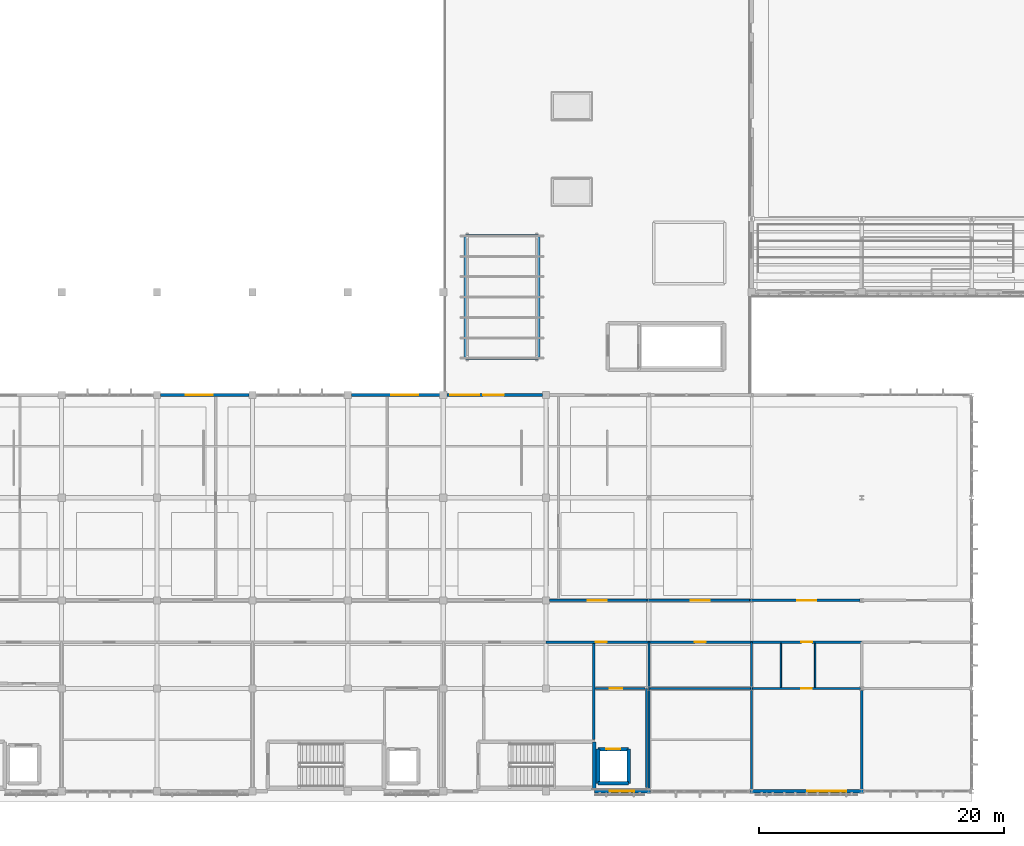
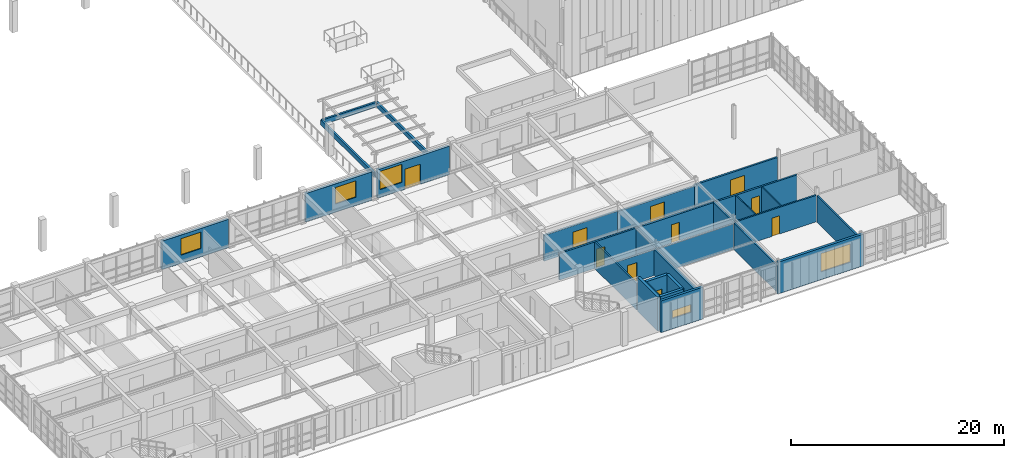
# One storey, part 44 of 67: 32 walls, 10 doors, 5 windows, 15 openings.
"""IFC4 building model written with IfcOpenShell, lengths in metres."""

from ifc_helpers import new_model, si_unit, direction, frame, frame_2d, origin, place, context, subcontext, project, spatial, rectangle, extrude, material, layer, layer_set, type_object, element, fill, save


model = new_model("IFC4")

# Units and contexts
model_context = context("Model", 3, precision=1e-05, world=origin(), true_north=direction((0.0, 1.0)))
body_context = subcontext(model_context, "Body", "Model", "MODEL_VIEW")
ifc_project = project(units=[si_unit("LENGTHUNIT", "METRE"), si_unit("AREAUNIT", "SQUARE_METRE"), si_unit("VOLUMEUNIT", "CUBIC_METRE"), si_unit("PLANEANGLEUNIT", "RADIAN"), si_unit("MASSUNIT", "GRAM", prefix="KILO")], contexts=[model_context])

# Site, building, storey
site_placement = place(None, origin())
site = spatial("IfcSite", under=ifc_project, at=site_placement, CompositionType="ELEMENT")
building_placement = place(site_placement, origin())
building = spatial("IfcBuilding", under=site, at=building_placement, Name="Tizgana Railside Sports Hall", CompositionType="ELEMENT")
storey_placement = place(building_placement, frame((0.0, 0.0, 12.0)))
storey = spatial("IfcBuildingStorey", under=building, at=storey_placement, Name="L02", CompositionType="ELEMENT", Elevation=12.0)

# Walls
ifc_material_1 = material(Name="Concrete C40/50", Category="concrete")
ifc_layer_1 = layer(ifc_material_1, 0.300048828125, Name="Concrete C40/50")
ifc_layer_set_1 = layer_set([ifc_layer_1], Name="Concrete C40/50")
wall_type_1 = type_object("IfcWallType", Name="Core Shear Wall 300", PredefinedType="SHEAR", material=ifc_layer_set_1)
wall_1_placement = place(storey_placement, frame((66.949951171875, 0.25, 0.0), z_axis=(0.0, 0.0, 1.0), x_axis=(0.0, 1.0, 0.0)))
element("IfcWall", 1, at=wall_1_placement, inside=storey, type_object=wall_type_1, Name="L02 C3 Shaft Wall E", PredefinedType="SHEAR", context=body_context, shape_type="SweptSolid", body=[
    extrude(rectangle(XDim=3.800048828125, YDim=0.300048828125, at=frame_2d((1.89990234375, 0.0))), origin(), (0.0, 0.0, 1.0), 3.89990234375),
])
wall_2_placement = place(storey_placement, frame((67.25, 0.64990234375, 0.0), z_axis=(0.0, 0.0, 1.0), x_axis=(1.0, 0.0, 0.0)))
element("IfcWall", 2, at=wall_2_placement, inside=storey, type_object=wall_type_1, Name="L02 LP-02 Shaft Wall S", PredefinedType="SHEAR", context=body_context, shape_type="SweptSolid", body=[
    extrude(rectangle(XDim=2.5, YDim=0.300048828125, at=frame_2d((1.25, 0.0))), origin(), (0.0, 0.0, 1.0), 3.639892578125),
])

# Wall, opening, door
wall_3_placement = place(storey_placement, frame((67.25, 3.449951171875, 0.0), z_axis=(0.0, 0.0, 1.0), x_axis=(1.0, 0.0, 0.0)))
wall_3 = element("IfcWall", 3, at=wall_3_placement, inside=storey, type_object=wall_type_1, Name="L02 LP-02 Shaft Wall N", PredefinedType="SHEAR", context=body_context, shape_type="SweptSolid", body=[
    extrude(rectangle(XDim=2.5, YDim=0.300048828125, at=frame_2d((1.25, 0.0))), origin(), (0.0, 0.0, 1.0), 3.639892578125),
])
opening_1_placement = place(wall_3_placement, frame((0.675048828125, 0.0, 0.0)))
opening_1 = element("IfcOpeningElement", 4, at=opening_1_placement, cuts=wall_3, Name="Opening D-0069", PredefinedType="OPENING", context=body_context, shape_type="SweptSolid", body=[
    extrude(rectangle(XDim=1.14990234375, YDim=2.199951171875, at=frame_2d((0.574951171875, 1.10009765625))), frame((0.0, 0.159912109375, 0.0), z_axis=(0.0, -1.0, 0.0), x_axis=(1.0, 0.0, 0.0)), (0.0, 0.0, 1.0), 0.320068359375),
])
ifc_material_2 = material(Name="Brushed stainless steel", Category="steel")
door_type_1 = type_object("IfcDoorType", Name="Passenger Lift Sliding Door 1150x2200", OperationType="NOTDEFINED", PredefinedType="DOOR", material=ifc_material_2)
door_1_placement = place(opening_1_placement, origin())
door_1 = element("IfcDoor", 5, at=door_1_placement, inside=storey, type_object=door_type_1, Name="L02 Door D-0069", OperationType="DOUBLE_DOOR_SLIDING", OverallHeight=2.199951171875, OverallWidth=1.14990234375, PredefinedType="DOOR", context=body_context, shape_type="SweptSolid", body=[
    extrude(rectangle(XDim=1.14990234375, YDim=2.199951171875, at=frame_2d((0.574951171875, 1.10009765625))), frame((0.0, 0.02490234375, 0.0), z_axis=(0.0, -1.0, 0.0), x_axis=(1.0, 0.0, 0.0)), (0.0, 0.0, 1.0), 0.050048828125),
])
fill(opening_1, door_1)

# Walls
for number, where, z_axis, x_axis, name in (
    (6, (67.25, 0.64990234375, 0.0), (0.0, 0.0, 1.0), (0.0, 1.0, 0.0), "L02 LP-02 Shaft Wall W"),
    (7, (69.75, 0.64990234375, 0.0), (0.0, 0.0, 1.0), (0.0, 1.0, 0.0), "L02 LP-02 Shaft Wall E"),
):
    element("IfcWall", number, at=place(storey_placement, frame(where, z_axis=z_axis, x_axis=x_axis)), inside=storey, type_object=wall_type_1, Name=name, PredefinedType="SHEAR", context=body_context, shape_type="SweptSolid", body=[
        extrude(rectangle(XDim=2.800048828125, YDim=0.300048828125, at=frame_2d((1.39990234375, 0.0))), origin(), (0.0, 0.0, 1.0), 3.639892578125),
    ])

# Wall, opening, door
ifc_material_3 = material(Name="Masonry blockwork", Category="masonry")
ifc_layer_2 = layer(ifc_material_3, 0.199951171875, Name="Masonry blockwork")
ifc_layer_set_2 = layer_set([ifc_layer_2], Name="Masonry blockwork")
wall_type_2 = type_object("IfcWallType", Name="Corridor Compartment Partition 200", PredefinedType="STANDARD", material=ifc_layer_set_2)
wall_4_placement = place(storey_placement, frame((63.300048828125, 15.60009765625, 0.0), z_axis=(0.0, 0.0, 1.0), x_axis=(1.0, 0.0, 0.0)))
wall_4 = element("IfcWall", 8, at=wall_4_placement, inside=storey, type_object=wall_type_2, Name="L02 Partition PWAL-0119", PredefinedType="STANDARD", context=body_context, shape_type="SweptSolid", body=[
    extrude(rectangle(XDim=7.93994140625, YDim=0.199951171875, at=frame_2d((3.969970703125, 0.0))), origin(), (0.0, 0.0, 1.0), 2.970947265625),
])
opening_2_placement = place(wall_4_placement, frame((3.125, 0.0, 0.0)))
opening_2 = element("IfcOpeningElement", 9, at=opening_2_placement, cuts=wall_4, Name="Opening D-0175", PredefinedType="OPENING", context=body_context, shape_type="SweptSolid", body=[
    extrude(rectangle(XDim=1.550048828125, YDim=2.25, at=frame_2d((0.77490234375, 1.125))), frame((0.0, 0.10986328125, 0.0), z_axis=(0.0, -1.0, 0.0), x_axis=(1.0, 0.0, 0.0)), (0.0, 0.0, 1.0), 0.219970703125),
])
ifc_material_4 = material(Name="Acoustic perforated timber", Category="wood")
door_type_2 = type_object("IfcDoorType", Name="Studio Acoustic Double Door 1550x2250", OperationType="NOTDEFINED", PredefinedType="DOOR", material=ifc_material_4)
door_2_placement = place(opening_2_placement, origin())
door_2 = element("IfcDoor", 10, at=door_2_placement, inside=storey, type_object=door_type_2, Name="L02 Door D-0175", OperationType="DOUBLE_DOOR_SINGLE_SWING", OverallHeight=2.25, OverallWidth=1.550048828125, PredefinedType="DOOR", context=body_context, shape_type="SweptSolid", body=[
    extrude(rectangle(XDim=1.550048828125, YDim=2.25, at=frame_2d((0.77490234375, 1.125))), frame((0.0, 0.02490234375, 0.0), z_axis=(0.0, -1.0, 0.0), x_axis=(1.0, 0.0, 0.0)), (0.0, 0.0, 1.0), 0.050048828125),
])
fill(opening_2, door_2)

wall_5_placement = place(storey_placement, frame((63.0, 12.199951171875, 0.0), z_axis=(0.0, 0.0, 1.0), x_axis=(1.0, 0.0, 0.0)))
wall_5 = element("IfcWall", 11, at=wall_5_placement, inside=storey, type_object=wall_type_2, Name="L02 Partition PWAL-0120", PredefinedType="STANDARD", context=body_context, shape_type="SweptSolid", body=[
    extrude(rectangle(XDim=8.39990234375, YDim=0.199951171875, at=frame_2d((4.199951171875, 0.0))), origin(), (0.0, 0.0, 1.0), 3.050048828125),
])
opening_3_placement = place(wall_5_placement, frame((4.06005859375, 0.0, 0.0)))
opening_3 = element("IfcOpeningElement", 12, at=opening_3_placement, cuts=wall_5, Name="Opening D-0176", PredefinedType="OPENING", context=body_context, shape_type="SweptSolid", body=[
    extrude(rectangle(XDim=0.8798828125, YDim=2.10009765625, at=frame_2d((0.43994140625, 1.050048828125))), frame((0.0, 0.10986328125, 0.0), z_axis=(0.0, -1.0, 0.0), x_axis=(1.0, 0.0, 0.0)), (0.0, 0.0, 1.0), 0.219970703125),
])
ifc_material_5 = material(Name="Solid beech timber", Category="wood")
door_type_3 = type_object("IfcDoorType", Name="Public & Staff WC Door 880x2100", OperationType="NOTDEFINED", PredefinedType="DOOR", material=ifc_material_5)
door_3_placement = place(opening_3_placement, origin())
door_3 = element("IfcDoor", 13, at=door_3_placement, inside=storey, type_object=door_type_3, Name="L02 Door D-0176", OperationType="SINGLE_SWING_RIGHT", OverallHeight=2.10009765625, OverallWidth=0.8798828125, PredefinedType="DOOR", context=body_context, shape_type="SweptSolid", body=[
    extrude(rectangle(XDim=0.8798828125, YDim=2.10009765625, at=frame_2d((0.43994140625, 1.050048828125))), frame((0.0, 0.02490234375, 0.0), z_axis=(0.0, -1.0, 0.0), x_axis=(1.0, 0.0, 0.0)), (0.0, 0.0, 1.0), 0.050048828125),
])
fill(opening_3, door_3)

wall_6_placement = place(storey_placement, frame((71.2451171875, 15.60009765625, 0.0), z_axis=(0.0, 0.0, 1.0), x_axis=(1.0, 0.0, 0.0)))
wall_6 = element("IfcWall", 14, at=wall_6_placement, inside=storey, type_object=wall_type_2, Name="L02 Partition PWAL-0121", PredefinedType="STANDARD", context=body_context, shape_type="SweptSolid", body=[
    extrude(rectangle(XDim=8.394775390625, YDim=0.199951171875, at=frame_2d((4.197265625, 0.0))), origin(), (0.0, 0.0, 1.0), 2.90087890625),
])
opening_4_placement = place(wall_6_placement, frame((3.580078125, 0.0, 0.0)))
opening_4 = element("IfcOpeningElement", 15, at=opening_4_placement, cuts=wall_6, Name="Opening D-0177", PredefinedType="OPENING", context=body_context, shape_type="SweptSolid", body=[
    extrude(rectangle(XDim=1.550048828125, YDim=2.25, at=frame_2d((0.77490234375, 1.125))), frame((0.0, 0.10986328125, 0.0), z_axis=(0.0, -1.0, 0.0), x_axis=(1.0, 0.0, 0.0)), (0.0, 0.0, 1.0), 0.219970703125),
])
door_4_placement = place(opening_4_placement, origin())
door_4 = element("IfcDoor", 16, at=door_4_placement, inside=storey, type_object=door_type_2, Name="L02 Door D-0177", OperationType="DOUBLE_DOOR_SINGLE_SWING", OverallHeight=2.25, OverallWidth=1.550048828125, PredefinedType="DOOR", context=body_context, shape_type="SweptSolid", body=[
    extrude(rectangle(XDim=1.550048828125, YDim=2.25, at=frame_2d((0.77490234375, 1.125))), frame((0.0, 0.02490234375, 0.0), z_axis=(0.0, -1.0, 0.0), x_axis=(1.0, 0.0, 0.0)), (0.0, 0.0, 1.0), 0.050048828125),
])
fill(opening_4, door_4)

wall_7_placement = place(storey_placement, frame((71.39990234375, 12.199951171875, 0.0), z_axis=(0.0, 0.0, 1.0), x_axis=(1.0, 0.0, 0.0)))
wall_7 = element("IfcWall", 17, at=wall_7_placement, inside=storey, type_object=wall_type_2, Name="L02 Partition PWAL-0122", PredefinedType="STANDARD", context=body_context, shape_type="SweptSolid", body=[
    extrude(rectangle(XDim=8.400146484375, YDim=0.199951171875, at=frame_2d((4.2001953125, 0.0))), origin(), (0.0, 0.0, 1.0), 3.050048828125),
])
opening_5_placement = place(wall_7_placement, frame((3.760009765625, 0.0, 0.0)))
opening_5 = element("IfcOpeningElement", 18, at=opening_5_placement, cuts=wall_7, Name="Opening D-0178", PredefinedType="OPENING", context=body_context, shape_type="SweptSolid", body=[
    extrude(rectangle(XDim=0.8798828125, YDim=2.10009765625, at=frame_2d((0.43994140625, 1.050048828125))), frame((0.0, 0.10986328125, 0.0), z_axis=(0.0, -1.0, 0.0), x_axis=(1.0, 0.0, 0.0)), (0.0, 0.0, 1.0), 0.219970703125),
])
door_5_placement = place(opening_5_placement, origin())
door_5 = element("IfcDoor", 19, at=door_5_placement, inside=storey, type_object=door_type_3, Name="L02 Door D-0178", OperationType="SINGLE_SWING_LEFT", OverallHeight=2.10009765625, OverallWidth=0.8798828125, PredefinedType="DOOR", context=body_context, shape_type="SweptSolid", body=[
    extrude(rectangle(XDim=0.8798828125, YDim=2.10009765625, at=frame_2d((0.43994140625, 1.050048828125))), frame((0.0, 0.02490234375, 0.0), z_axis=(0.0, -1.0, 0.0), x_axis=(1.0, 0.0, 0.0)), (0.0, 0.0, 1.0), 0.050048828125),
])
fill(opening_5, door_5)

wall_8_placement = place(storey_placement, frame((79.64501953125, 15.60009765625, 0.0), z_axis=(0.0, 0.0, 1.0), x_axis=(1.0, 0.0, 0.0)))
wall_8 = element("IfcWall", 20, at=wall_8_placement, inside=storey, type_object=wall_type_2, Name="L02 Partition PWAL-0123", PredefinedType="STANDARD", context=body_context, shape_type="SweptSolid", body=[
    extrude(rectangle(XDim=8.994873046875, YDim=0.199951171875, at=frame_2d((4.49755859375, 0.0))), origin(), (0.0, 0.0, 1.0), 3.050048828125),
])
opening_6_placement = place(wall_8_placement, frame((3.8798828125, 0.0, 0.0)))
opening_6 = element("IfcOpeningElement", 21, at=opening_6_placement, cuts=wall_8, Name="Opening D-0179", PredefinedType="OPENING", context=body_context, shape_type="SweptSolid", body=[
    extrude(rectangle(XDim=1.550048828125, YDim=2.25, at=frame_2d((0.77490234375, 1.125))), frame((0.0, 0.10986328125, 0.0), z_axis=(0.0, -1.0, 0.0), x_axis=(1.0, 0.0, 0.0)), (0.0, 0.0, 1.0), 0.219970703125),
])
door_6_placement = place(opening_6_placement, origin())
door_6 = element("IfcDoor", 22, at=door_6_placement, inside=storey, type_object=door_type_2, Name="L02 Door D-0179", OperationType="DOUBLE_DOOR_SINGLE_SWING", OverallHeight=2.25, OverallWidth=1.550048828125, PredefinedType="DOOR", context=body_context, shape_type="SweptSolid", body=[
    extrude(rectangle(XDim=1.550048828125, YDim=2.25, at=frame_2d((0.77490234375, 1.125))), frame((0.0, 0.02490234375, 0.0), z_axis=(0.0, -1.0, 0.0), x_axis=(1.0, 0.0, 0.0)), (0.0, 0.0, 1.0), 0.050048828125),
])
fill(opening_6, door_6)

wall_9_placement = place(storey_placement, frame((79.800048828125, 12.199951171875, 0.0), z_axis=(0.0, 0.0, 1.0), x_axis=(1.0, 0.0, 0.0)))
wall_9 = element("IfcWall", 23, at=wall_9_placement, inside=storey, type_object=wall_type_2, Name="L02 Partition PWAL-0124", PredefinedType="STANDARD", context=body_context, shape_type="SweptSolid", body=[
    extrude(rectangle(XDim=9.0, YDim=0.199951171875, at=frame_2d((4.5, 0.0))), origin(), (0.0, 0.0, 1.0), 3.050048828125),
])
opening_7_placement = place(wall_9_placement, frame((4.06005859375, 0.0, 0.0)))
opening_7 = element("IfcOpeningElement", 24, at=opening_7_placement, cuts=wall_9, Name="Opening D-0180", PredefinedType="OPENING", context=body_context, shape_type="SweptSolid", body=[
    extrude(rectangle(XDim=0.8798828125, YDim=2.10009765625, at=frame_2d((0.43994140625, 1.050048828125))), frame((0.0, 0.10986328125, 0.0), z_axis=(0.0, -1.0, 0.0), x_axis=(1.0, 0.0, 0.0)), (0.0, 0.0, 1.0), 0.219970703125),
])
door_7_placement = place(opening_7_placement, origin())
door_7 = element("IfcDoor", 25, at=door_7_placement, inside=storey, type_object=door_type_3, Name="L02 Door D-0180", OperationType="SINGLE_SWING_RIGHT", OverallHeight=2.10009765625, OverallWidth=0.8798828125, PredefinedType="DOOR", context=body_context, shape_type="SweptSolid", body=[
    extrude(rectangle(XDim=0.8798828125, YDim=2.10009765625, at=frame_2d((0.43994140625, 1.050048828125))), frame((0.0, 0.02490234375, 0.0), z_axis=(0.0, -1.0, 0.0), x_axis=(1.0, 0.0, 0.0)), (0.0, 0.0, 1.0), 0.050048828125),
])
fill(opening_7, door_7)

# Wall, opening, window
ifc_material_6 = material(Name="Precast concrete C40/50", Category="concrete")
ifc_layer_3 = layer(ifc_material_6, 0.27001953125, Name="Precast concrete C40/50")
ifc_layer_set_3 = layer_set([ifc_layer_3], Name="Precast concrete C40/50")
wall_type_3 = type_object("IfcWallType", Name="Exterior Studio Facade Wall 270", PredefinedType="STANDARD", material=ifc_layer_set_3)
wall_10_placement = place(storey_placement, frame((71.547607421875, 0.0, 0.0), z_axis=(0.0, 0.0, 1.0), x_axis=(-1.0, 0.0, 0.0)))
wall_10 = element("IfcWall", 26, at=wall_10_placement, inside=storey, type_object=wall_type_3, Name="L02 Exterior Wall EWAL-0101", PredefinedType="STANDARD", context=body_context, shape_type="SweptSolid", body=[
    extrude(rectangle(XDim=4.592529296875, YDim=0.27001953125, at=frame_2d((2.29638671875, 0.0))), origin(), (0.0, 0.0, 1.0), 3.639892578125),
])
opening_8_placement = place(wall_10_placement, frame((1.347412109375, 0.0, 1.199951171875)))
opening_8 = element("IfcOpeningElement", 27, at=opening_8_placement, cuts=wall_10, Name="Opening W-0073", PredefinedType="OPENING", context=body_context, shape_type="SweptSolid", body=[
    extrude(rectangle(XDim=2.0, YDim=0.89990234375, at=frame_2d((1.0, 0.449951171875))), frame((0.0, 0.14501953125, 0.0), z_axis=(0.0, -1.0, 0.0), x_axis=(1.0, 0.0, 0.0)), (0.0, 0.0, 1.0), 0.2900390625),
])
ifc_material_7 = material(Name="Double low-E laminated glass", Category="glass")
window_type_1 = type_object("IfcWindowType", Name="Changing High-Level Window 2000x900", PartitioningType="SINGLE_PANEL", PredefinedType="WINDOW", material=ifc_material_7)
window_1_placement = place(opening_8_placement, origin())
window_1 = element("IfcWindow", 28, at=window_1_placement, inside=storey, type_object=window_type_1, Name="L02 Window W-0073", OverallHeight=0.89990234375, OverallWidth=2.0, PartitioningType="SINGLE_PANEL", PredefinedType="WINDOW", context=body_context, shape_type="SweptSolid", body=[
    extrude(rectangle(XDim=2.0, YDim=0.89990234375, at=frame_2d((1.0, 0.449951171875))), frame((0.0, 0.030029296875, 0.0), z_axis=(0.0, -1.0, 0.0), x_axis=(1.0, 0.0, 0.0)), (0.0, 0.0, 1.0), 0.06005859375),
])
fill(opening_8, window_1)

wall_11_placement = place(storey_placement, frame((88.93994140625, 0.0, 0.0), z_axis=(0.0, 0.0, 1.0), x_axis=(-1.0, 0.0, 0.0)))
wall_11 = element("IfcWall", 29, at=wall_11_placement, inside=storey, type_object=wall_type_3, Name="L02 Exterior Wall EWAL-0102", PredefinedType="STANDARD", context=body_context, shape_type="SweptSolid", body=[
    extrude(rectangle(XDim=9.287353515625, YDim=0.27001953125, at=frame_2d((4.6435546875, 0.0))), origin(), (0.0, 0.0, 1.0), 3.639892578125),
])
opening_9_placement = place(wall_11_placement, frame((1.389892578125, 0.0, 0.89990234375)))
opening_9 = element("IfcOpeningElement", 30, at=opening_9_placement, cuts=wall_11, Name="Opening W-0074", PredefinedType="OPENING", context=body_context, shape_type="SweptSolid", body=[
    extrude(rectangle(XDim=3.199951171875, YDim=2.10009765625, at=frame_2d((1.60009765625, 1.050048828125))), frame((0.0, 0.14501953125, 0.0), z_axis=(0.0, -1.0, 0.0), x_axis=(1.0, 0.0, 0.0)), (0.0, 0.0, 1.0), 0.2900390625),
])
window_type_2 = type_object("IfcWindowType", Name="Studio Wide Window 3200x2100", PartitioningType="SINGLE_PANEL", PredefinedType="WINDOW", material=ifc_material_7)
window_2_placement = place(opening_9_placement, origin())
window_2 = element("IfcWindow", 31, at=window_2_placement, inside=storey, type_object=window_type_2, Name="L02 Window W-0074", OverallHeight=2.10009765625, OverallWidth=3.199951171875, PartitioningType="SINGLE_PANEL", PredefinedType="WINDOW", context=body_context, shape_type="SweptSolid", body=[
    extrude(rectangle(XDim=3.199951171875, YDim=2.10009765625, at=frame_2d((1.60009765625, 1.050048828125))), frame((0.0, 0.030029296875, 0.0), z_axis=(0.0, -1.0, 0.0), x_axis=(1.0, 0.0, 0.0)), (0.0, 0.0, 1.0), 0.06005859375),
])
fill(opening_9, window_2)

wall_12_placement = place(storey_placement, frame((31.489990234375, 32.39990234375, 0.0), z_axis=(0.0, 0.0, 1.0), x_axis=(1.0, 0.0, 0.0)))
wall_12 = element("IfcWall", 32, at=wall_12_placement, inside=storey, type_object=wall_type_3, Name="L02 Exterior Wall EWAL-0104", PredefinedType="STANDARD", context=body_context, shape_type="SweptSolid", body=[
    extrude(rectangle(XDim=7.219970703125, YDim=0.27001953125, at=frame_2d((3.60986328125, 0.0))), origin(), (0.0, 0.0, 1.0), 3.27099609375),
])
opening_10_placement = place(wall_12_placement, frame((2.06005859375, 0.0, 0.949951171875)))
opening_10 = element("IfcOpeningElement", 33, at=opening_10_placement, cuts=wall_12, Name="Opening W-0076", PredefinedType="OPENING", context=body_context, shape_type="SweptSolid", body=[
    extrude(rectangle(XDim=2.199951171875, YDim=1.89990234375, at=frame_2d((1.10009765625, 0.949951171875))), frame((0.0, 0.14501953125, 0.0), z_axis=(0.0, -1.0, 0.0), x_axis=(1.0, 0.0, 0.0)), (0.0, 0.0, 1.0), 0.2900390625),
])
window_type_3 = type_object("IfcWindowType", Name="Clinic Double Window 2200x1900", PartitioningType="SINGLE_PANEL", PredefinedType="WINDOW", material=ifc_material_7)
window_3_placement = place(opening_10_placement, origin())
window_3 = element("IfcWindow", 34, at=window_3_placement, inside=storey, type_object=window_type_3, Name="L02 Window W-0076", OverallHeight=1.89990234375, OverallWidth=2.199951171875, PartitioningType="SINGLE_PANEL", PredefinedType="WINDOW", context=body_context, shape_type="SweptSolid", body=[
    extrude(rectangle(XDim=2.199951171875, YDim=1.89990234375, at=frame_2d((1.10009765625, 0.949951171875))), frame((0.0, 0.030029296875, 0.0), z_axis=(0.0, -1.0, 0.0), x_axis=(1.0, 0.0, 0.0)), (0.0, 0.0, 1.0), 0.06005859375),
])
fill(opening_10, window_3)

wall_13_placement = place(storey_placement, frame((47.090087890625, 32.39990234375, 0.0), z_axis=(0.0, 0.0, 1.0), x_axis=(1.0, 0.0, 0.0)))
wall_13 = element("IfcWall", 35, at=wall_13_placement, inside=storey, type_object=wall_type_3, Name="L02 Exterior Wall EWAL-0105", PredefinedType="STANDARD", context=body_context, shape_type="SweptSolid", body=[
    extrude(rectangle(XDim=7.219970703125, YDim=0.27001953125, at=frame_2d((3.60986328125, 0.0))), origin(), (0.0, 0.0, 1.0), 3.27099609375),
])
opening_11_placement = place(wall_13_placement, frame((3.260009765625, 0.0, 0.949951171875)))
opening_11 = element("IfcOpeningElement", 36, at=opening_11_placement, cuts=wall_13, Name="Opening W-0077", PredefinedType="OPENING", context=body_context, shape_type="SweptSolid", body=[
    extrude(rectangle(XDim=2.199951171875, YDim=1.89990234375, at=frame_2d((1.10009765625, 0.949951171875))), frame((0.0, 0.14501953125, 0.0), z_axis=(0.0, -1.0, 0.0), x_axis=(1.0, 0.0, 0.0)), (0.0, 0.0, 1.0), 0.2900390625),
])
window_4_placement = place(opening_11_placement, origin())
window_4 = element("IfcWindow", 37, at=window_4_placement, inside=storey, type_object=window_type_3, Name="L02 Window W-0077", OverallHeight=1.89990234375, OverallWidth=2.199951171875, PartitioningType="SINGLE_PANEL", PredefinedType="WINDOW", context=body_context, shape_type="SweptSolid", body=[
    extrude(rectangle(XDim=2.199951171875, YDim=1.89990234375, at=frame_2d((1.10009765625, 0.949951171875))), frame((0.0, 0.030029296875, 0.0), z_axis=(0.0, -1.0, 0.0), x_axis=(1.0, 0.0, 0.0)), (0.0, 0.0, 1.0), 0.06005859375),
])
fill(opening_11, window_4)

# Wall, openings, door, window
wall_14_placement = place(storey_placement, frame((54.889892578125, 32.39990234375, 0.0), z_axis=(0.0, 0.0, 1.0), x_axis=(1.0, 0.0, 0.0)))
wall_14 = element("IfcWall", 38, at=wall_14_placement, inside=storey, type_object=wall_type_3, Name="L02 Exterior Wall EWAL-0106", PredefinedType="STANDARD", context=body_context, shape_type="SweptSolid", body=[
    extrude(rectangle(XDim=7.820068359375, YDim=0.27001953125, at=frame_2d((3.91015625, 0.0))), origin(), (0.0, 0.0, 1.0), 3.27099609375),
])
opening_12_placement = place(wall_14_placement, frame((2.9599609375, 0.0, 0.0)))
opening_12 = element("IfcOpeningElement", 39, at=opening_12_placement, cuts=wall_14, Name="Opening D-0024", PredefinedType="OPENING", context=body_context, shape_type="SweptSolid", body=[
    extrude(rectangle(XDim=1.699951171875, YDim=2.300048828125, at=frame_2d((0.85009765625, 1.14990234375))), frame((0.0, 0.14501953125, 0.0), z_axis=(0.0, -1.0, 0.0), x_axis=(1.0, 0.0, 0.0)), (0.0, 0.0, 1.0), 0.2900390625),
])
opening_13_placement = place(wall_14_placement, frame((0.260009765625, 0.0, 0.89990234375)))
opening_13 = element("IfcOpeningElement", 40, at=opening_13_placement, cuts=wall_14, Name="Opening W-0078", PredefinedType="OPENING", context=body_context, shape_type="SweptSolid", body=[
    extrude(rectangle(XDim=2.39990234375, YDim=2.10009765625, at=frame_2d((1.199951171875, 1.050048828125))), frame((0.0, 0.14501953125, 0.0), z_axis=(0.0, -1.0, 0.0), x_axis=(1.0, 0.0, 0.0)), (0.0, 0.0, 1.0), 0.2900390625),
])
ifc_material_8 = material(Name="Anodised aluminium and glass", Category="aluminium")
door_type_4 = type_object("IfcDoorType", Name="Planted Terrace Double Door 1700x2300", OperationType="NOTDEFINED", PredefinedType="DOOR", material=ifc_material_8)
door_8_placement = place(opening_12_placement, origin())
door_8 = element("IfcDoor", 41, at=door_8_placement, inside=storey, type_object=door_type_4, Name="L02 Door D-0024", OperationType="DOUBLE_DOOR_SINGLE_SWING", OverallHeight=2.300048828125, OverallWidth=1.699951171875, PredefinedType="DOOR", context=body_context, shape_type="SweptSolid", body=[
    extrude(rectangle(XDim=1.699951171875, YDim=2.300048828125, at=frame_2d((0.85009765625, 1.14990234375))), frame((0.0, 0.02490234375, 0.0), z_axis=(0.0, -1.0, 0.0), x_axis=(1.0, 0.0, 0.0)), (0.0, 0.0, 1.0), 0.050048828125),
])
fill(opening_12, door_8)
window_type_4 = type_object("IfcWindowType", Name="Studio Recessed Window 2400x2100", PartitioningType="SINGLE_PANEL", PredefinedType="WINDOW", material=ifc_material_7)
window_5_placement = place(opening_13_placement, origin())
window_5 = element("IfcWindow", 42, at=window_5_placement, inside=storey, type_object=window_type_4, Name="L02 Window W-0078", OverallHeight=2.10009765625, OverallWidth=2.39990234375, PartitioningType="SINGLE_PANEL", PredefinedType="WINDOW", context=body_context, shape_type="SweptSolid", body=[
    extrude(rectangle(XDim=2.39990234375, YDim=2.10009765625, at=frame_2d((1.199951171875, 1.050048828125))), frame((0.0, 0.030029296875, 0.0), z_axis=(0.0, -1.0, 0.0), x_axis=(1.0, 0.0, 0.0)), (0.0, 0.0, 1.0), 0.06005859375),
])
fill(opening_13, window_5)

# Wall
ifc_layer_4 = layer(ifc_material_3, 0.179931640625, Name="Masonry blockwork")
ifc_layer_set_4 = layer_set([ifc_layer_4], Name="Masonry blockwork")
wall_type_4 = type_object("IfcWallType", Name="Riser and Shaft Wall 180", PredefinedType="STANDARD", material=ifc_layer_set_4)
wall_15_placement = place(storey_placement, frame((66.89990234375, 4.25, 0.0), z_axis=(0.0, 0.0, 1.0), x_axis=(0.0, 1.0, 0.0)))
element("IfcWall", 43, at=wall_15_placement, inside=storey, type_object=wall_type_4, Name="L02 Partition PWAL-0368", PredefinedType="STANDARD", context=body_context, shape_type="SweptSolid", body=[
    extrude(rectangle(XDim=7.85009765625, YDim=0.179931640625, at=frame_2d((3.925048828125, 0.0))), origin(), (0.0, 0.0, 1.0), 3.050048828125),
])

# Wall, opening, door
wall_16_placement = place(storey_placement, frame((67.0, 8.39990234375, 0.0), z_axis=(0.0, 0.0, 1.0), x_axis=(1.0, 0.0, 0.0)))
wall_16 = element("IfcWall", 44, at=wall_16_placement, inside=storey, type_object=wall_type_4, Name="L02 Partition PWAL-0369", PredefinedType="STANDARD", context=body_context, shape_type="SweptSolid", body=[
    extrude(rectangle(XDim=4.10009765625, YDim=0.179931640625, at=frame_2d((2.050048828125, 0.0))), origin(), (0.0, 0.0, 1.0), 2.970947265625),
])
opening_14_placement = place(wall_16_placement, frame((1.18994140625, 0.0, 0.0)))
opening_14 = element("IfcOpeningElement", 45, at=opening_14_placement, cuts=wall_16, Name="Opening D-0320", PredefinedType="OPENING", context=body_context, shape_type="SweptSolid", body=[
    extrude(rectangle(XDim=1.02001953125, YDim=2.14990234375, at=frame_2d((0.510009765625, 1.074951171875))), frame((0.0, 0.099853515625, 0.0), z_axis=(0.0, -1.0, 0.0), x_axis=(1.0, 0.0, 0.0)), (0.0, 0.0, 1.0), 0.199951171875),
])
door_type_5 = type_object("IfcDoorType", Name="Accessible Changing & WC Door 1020x2150", OperationType="NOTDEFINED", PredefinedType="DOOR", material=ifc_material_5)
door_9_placement = place(opening_14_placement, origin())
door_9 = element("IfcDoor", 46, at=door_9_placement, inside=storey, type_object=door_type_5, Name="L02 Door D-0320", OperationType="SINGLE_SWING_LEFT", OverallHeight=2.14990234375, OverallWidth=1.02001953125, PredefinedType="DOOR", context=body_context, shape_type="SweptSolid", body=[
    extrude(rectangle(XDim=1.02001953125, YDim=2.14990234375, at=frame_2d((0.510009765625, 1.074951171875))), frame((0.0, 0.02490234375, 0.0), z_axis=(0.0, -1.0, 0.0), x_axis=(1.0, 0.0, 0.0)), (0.0, 0.0, 1.0), 0.050048828125),
])
fill(opening_14, door_9)

# Walls
wall_17_placement = place(storey_placement, frame((71.199951171875, 0.300048828125, 0.0), z_axis=(0.0, 0.0, 1.0), x_axis=(0.0, 1.0, 0.0)))
element("IfcWall", 47, at=wall_17_placement, inside=storey, type_object=wall_type_4, Name="L02 Partition PWAL-0370", PredefinedType="STANDARD", context=body_context, shape_type="SweptSolid", body=[
    extrude(rectangle(XDim=8.099853515625, YDim=0.179931640625, at=frame_2d((4.0498046875, 0.0))), origin(), (0.0, 0.0, 1.0), 2.970947265625),
])
ifc_material_9 = material(Name="Concrete C35/45", Category="concrete")
ifc_layer_5 = layer(ifc_material_9, 0.2099609375, Name="Concrete C35/45")
ifc_layer_set_5 = layer_set([ifc_layer_5], Name="Concrete C35/45")
wall_type_5 = type_object("IfcWallType", Name="Roof Parapet Upstand 210", PredefinedType="PARAPET", material=ifc_layer_set_5)
wall_18_placement = place(storey_placement, frame((56.39990234375, 35.39990234375, 0.0), z_axis=(0.0, 0.0, 1.0), x_axis=(1.0, 0.0, 0.0)))
element("IfcWall", 48, at=wall_18_placement, inside=storey, type_object=wall_type_5, Name="L02 Roof Garden Planter Kerb", PredefinedType="PARAPET", context=body_context, shape_type="SweptSolid", body=[
    extrude(rectangle(XDim=6.0, YDim=0.2099609375, at=frame_2d((3.0, 0.0))), origin(), (0.0, 0.0, 1.0), 0.550048828125),
])
wall_19_placement = place(storey_placement, frame((62.39990234375, 35.39990234375, 0.0), z_axis=(0.0, 0.0, 1.0), x_axis=(0.0, 1.0, 0.0)))
element("IfcWall", 49, at=wall_19_placement, inside=storey, type_object=wall_type_5, Name="L02 Roof Garden Planter Kerb", PredefinedType="PARAPET", context=body_context, shape_type="SweptSolid", body=[
    extrude(rectangle(XDim=10.0, YDim=0.2099609375, at=frame_2d((5.0, 0.0))), origin(), (0.0, 0.0, 1.0), 0.550048828125),
])
wall_20_placement = place(storey_placement, frame((62.39990234375, 45.39990234375, 0.0), z_axis=(0.0, 0.0, 1.0), x_axis=(-1.0, 0.0, 0.0)))
element("IfcWall", 50, at=wall_20_placement, inside=storey, type_object=wall_type_5, Name="L02 Roof Garden Planter Kerb", PredefinedType="PARAPET", context=body_context, shape_type="SweptSolid", body=[
    extrude(rectangle(XDim=6.0, YDim=0.2099609375, at=frame_2d((3.0, 0.0))), origin(), (0.0, 0.0, 1.0), 0.550048828125),
])
wall_21_placement = place(storey_placement, frame((56.39990234375, 45.39990234375, 0.0), z_axis=(0.0, 0.0, 1.0), x_axis=(0.0, -1.0, 0.0)))
element("IfcWall", 51, at=wall_21_placement, inside=storey, type_object=wall_type_5, Name="L02 Roof Garden Planter Kerb", PredefinedType="PARAPET", context=body_context, shape_type="SweptSolid", body=[
    extrude(rectangle(XDim=10.0, YDim=0.2099609375, at=frame_2d((5.0, 0.0))), origin(), (0.0, 0.0, 1.0), 0.550048828125),
])
ifc_material_10 = material(Name="Acoustic gypsum stud")
ifc_layer_6 = layer(ifc_material_10, 0.169921875, Name="Acoustic gypsum stud")
ifc_layer_set_6 = layer_set([ifc_layer_6], Name="Acoustic gypsum stud")
wall_type_6 = type_object("IfcWallType", Name="Studio Acoustic Partition 170", PredefinedType="STANDARD", material=ifc_layer_set_6)
wall_22_placement = place(storey_placement, frame((71.39990234375, 0.139892578125, 0.0), z_axis=(0.0, 0.0, 1.0), x_axis=(0.0, 1.0, 0.0)))
element("IfcWall", 52, at=wall_22_placement, inside=storey, type_object=wall_type_6, Name="L02 Partition PWAL-0135", PredefinedType="STANDARD", context=body_context, shape_type="SweptSolid", body=[
    extrude(rectangle(XDim=8.10009765625, YDim=0.169921875, at=frame_2d((4.050048828125, 0.0))), origin(), (0.0, 0.0, 1.0), 2.970947265625),
])
wall_23_placement = place(storey_placement, frame((71.39990234375, 8.2451171875, 0.0), z_axis=(0.0, 0.0, 1.0), x_axis=(0.0, 1.0, 0.0)))
element("IfcWall", 53, at=wall_23_placement, inside=storey, type_object=wall_type_6, Name="L02 Partition PWAL-0136", PredefinedType="STANDARD", context=body_context, shape_type="SweptSolid", body=[
    extrude(rectangle(XDim=3.954833984375, YDim=0.169921875, at=frame_2d((1.9775390625, 0.0))), origin(), (0.0, 0.0, 1.0), 2.970947265625),
])
wall_24_placement = place(storey_placement, frame((79.800048828125, 0.139892578125, 0.0), z_axis=(0.0, 0.0, 1.0), x_axis=(0.0, 1.0, 0.0)))
element("IfcWall", 54, at=wall_24_placement, inside=storey, type_object=wall_type_6, Name="L02 Partition PWAL-0137", PredefinedType="STANDARD", context=body_context, shape_type="SweptSolid", body=[
    extrude(rectangle(XDim=8.10009765625, YDim=0.169921875, at=frame_2d((4.050048828125, 0.0))), origin(), (0.0, 0.0, 1.0), 3.050048828125),
])
wall_25_placement = place(storey_placement, frame((79.800048828125, 8.2451171875, 0.0), z_axis=(0.0, 0.0, 1.0), x_axis=(0.0, 1.0, 0.0)))
element("IfcWall", 55, at=wall_25_placement, inside=storey, type_object=wall_type_6, Name="L02 Partition PWAL-0138", PredefinedType="STANDARD", context=body_context, shape_type="SweptSolid", body=[
    extrude(rectangle(XDim=3.954833984375, YDim=0.169921875, at=frame_2d((1.9775390625, 0.0))), origin(), (0.0, 0.0, 1.0), 3.050048828125),
])
wall_26_placement = place(storey_placement, frame((88.800048828125, 0.139892578125, 0.0), z_axis=(0.0, 0.0, 1.0), x_axis=(0.0, 1.0, 0.0)))
element("IfcWall", 56, at=wall_26_placement, inside=storey, type_object=wall_type_6, Name="L02 Partition PWAL-0139", PredefinedType="STANDARD", context=body_context, shape_type="SweptSolid", body=[
    extrude(rectangle(XDim=8.10009765625, YDim=0.169921875, at=frame_2d((4.050048828125, 0.0))), origin(), (0.0, 0.0, 1.0), 3.050048828125),
])
wall_27_placement = place(storey_placement, frame((71.489990234375, 8.39990234375, 0.0), z_axis=(0.0, 0.0, 1.0), x_axis=(1.0, 0.0, 0.0)))
element("IfcWall", 57, at=wall_27_placement, inside=storey, type_object=wall_type_6, Name="L02 Partition PWAL-0141", PredefinedType="STANDARD", context=body_context, shape_type="SweptSolid", body=[
    extrude(rectangle(XDim=8.219970703125, YDim=0.169921875, at=frame_2d((4.10986328125, 0.0))), origin(), (0.0, 0.0, 1.0), 2.90087890625),
])

# Wall, opening, door
wall_28_placement = place(storey_placement, frame((79.715087890625, 8.39990234375, 0.0), z_axis=(0.0, 0.0, 1.0), x_axis=(1.0, 0.0, 0.0)))
wall_28 = element("IfcWall", 58, at=wall_28_placement, inside=storey, type_object=wall_type_6, Name="L02 Partition PWAL-0142", PredefinedType="STANDARD", context=body_context, shape_type="SweptSolid", body=[
    extrude(rectangle(XDim=8.994873046875, YDim=0.169921875, at=frame_2d((4.49755859375, 0.0))), origin(), (0.0, 0.0, 1.0), 3.050048828125),
])
opening_15_placement = place(wall_28_placement, frame((4.155029296875, 0.0, 0.0)))
opening_15 = element("IfcOpeningElement", 59, at=opening_15_placement, cuts=wall_28, Name="Opening D-0185", PredefinedType="OPENING", context=body_context, shape_type="SweptSolid", body=[
    extrude(rectangle(XDim=0.860107421875, YDim=2.10009765625, at=frame_2d((0.43017578125, 1.050048828125))), frame((0.0, 0.094970703125, 0.0), z_axis=(0.0, -1.0, 0.0), x_axis=(1.0, 0.0, 0.0)), (0.0, 0.0, 1.0), 0.18994140625),
])
door_type_6 = type_object("IfcDoorType", Name="Cleaner & Store Room Door 860x2100", OperationType="NOTDEFINED", PredefinedType="DOOR", material=ifc_material_5)
door_10_placement = place(opening_15_placement, origin())
door_10 = element("IfcDoor", 60, at=door_10_placement, inside=storey, type_object=door_type_6, Name="L02 Door D-0185", OperationType="SINGLE_SWING_RIGHT", OverallHeight=2.10009765625, OverallWidth=0.860107421875, PredefinedType="DOOR", context=body_context, shape_type="SweptSolid", body=[
    extrude(rectangle(XDim=0.860107421875, YDim=2.10009765625, at=frame_2d((0.43017578125, 1.050048828125))), frame((0.0, 0.02490234375, 0.0), z_axis=(0.0, -1.0, 0.0), x_axis=(1.0, 0.0, 0.0)), (0.0, 0.0, 1.0), 0.050048828125),
])
fill(opening_15, door_10)

# Walls
ifc_layer_7 = layer(ifc_material_10, 0.1201171875, Name="Acoustic gypsum stud")
ifc_layer_set_7 = layer_set([ifc_layer_7], Name="Acoustic gypsum stud")
wall_type_7 = type_object("IfcWallType", Name="WC Cubicle Partition 120", PredefinedType="STANDARD", material=ifc_layer_set_7)
for number, where, z_axis, x_axis, name in (
    (61, (82.199951171875, 8.489990234375, 0.0), (0.0, 0.0, 1.0), (0.0, 1.0, 0.0), "L02 Partition PWAL-0152"),
    (62, (85.0, 8.489990234375, 0.0), (0.0, 0.0, 1.0), (0.0, 1.0, 0.0), "L02 Partition PWAL-0153"),
):
    element("IfcWall", number, at=place(storey_placement, frame(where, z_axis=z_axis, x_axis=x_axis)), inside=storey, type_object=wall_type_7, Name=name, PredefinedType="STANDARD", context=body_context, shape_type="SweptSolid", body=[
        extrude(rectangle(XDim=3.610107421875, YDim=0.1201171875, at=frame_2d((1.80517578125, 0.0))), origin(), (0.0, 0.0, 1.0), 3.050048828125),
    ])

save(model, "model.ifc")
